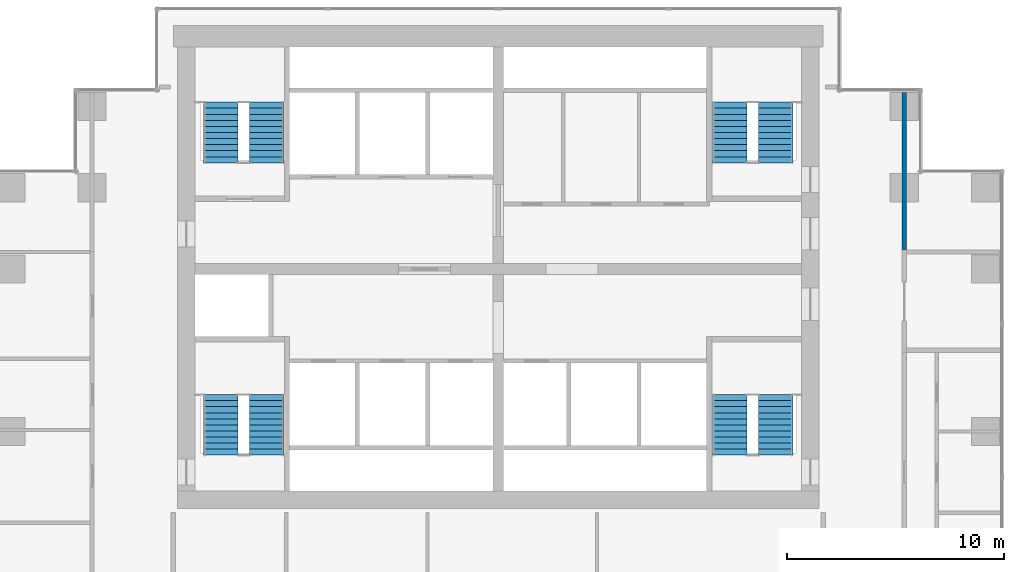
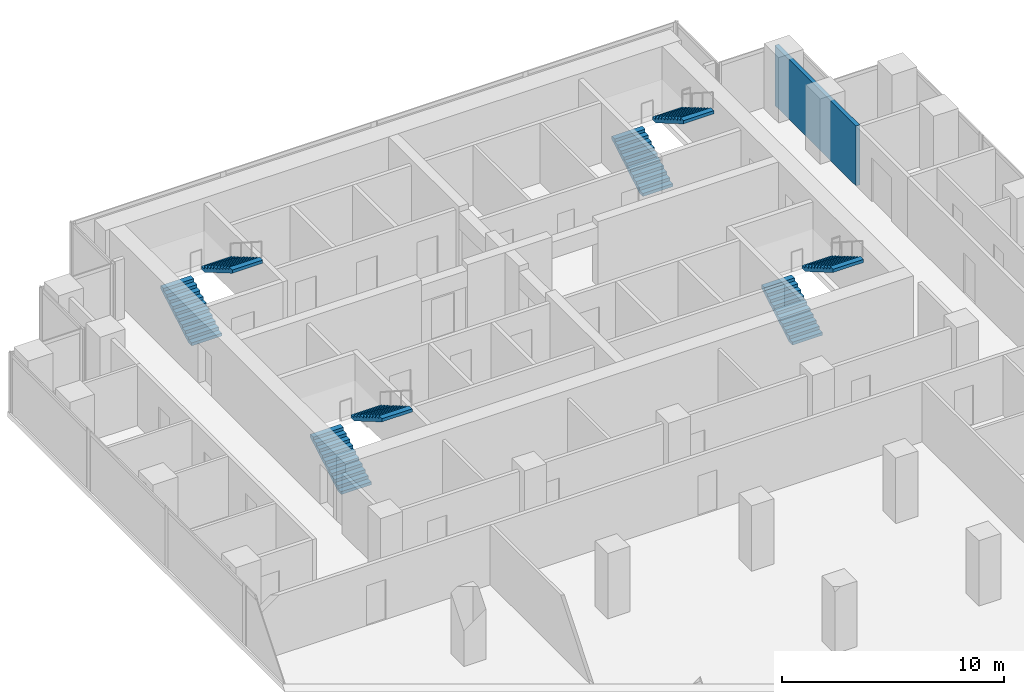
# One storey, part 9 of 10: 8 stair flights, 1 wall, 4 elements without a shape of their own.
"""IFC4 building model written with IfcOpenShell, lengths in metres."""

from ifc_helpers import new_model, si_unit, direction, frame, frame_2d, origin, place, context, subcontext, project, spatial, polyline, rectangle, outline, extrude, material, layer, layer_set, type_object, element, aggregate, save


model = new_model("IFC4")

# Units and contexts
model_context = context("Model", 3, precision=1e-05, world=origin(), true_north=direction((0.0, 1.0)))
body_context = subcontext(model_context, "Body", "Model", "MODEL_VIEW")
ifc_project = project(units=[si_unit("LENGTHUNIT", "METRE"), si_unit("AREAUNIT", "SQUARE_METRE"), si_unit("VOLUMEUNIT", "CUBIC_METRE"), si_unit("PLANEANGLEUNIT", "RADIAN"), si_unit("MASSUNIT", "GRAM", prefix="KILO")], contexts=[model_context])

# Site, building, storey
site_placement = place(None, origin())
site = spatial("IfcSite", under=ifc_project, at=site_placement, CompositionType="ELEMENT")
building_placement = place(site_placement, origin())
building = spatial("IfcBuilding", under=site, at=building_placement, Name="Pilkhan Gate Tower", CompositionType="ELEMENT")
storey_placement = place(building_placement, frame((0.0, 0.0, 114.39990234375)))
storey = spatial("IfcBuildingStorey", under=building, at=storey_placement, Name="L28", CompositionType="ELEMENT", Elevation=114.39990234375)

# Wall
ifc_material_1 = material(Name="Dense blockwork", Category="masonry")
ifc_layer = layer(ifc_material_1, 0.199951171875)
ifc_layer_set = layer_set([ifc_layer], Name="Corridor wall FW200")
wall_type = type_object("IfcWallType", Name="Corridor wall FW200", PredefinedType="PARTITIONING", material=ifc_layer_set)
wall_placement = place(storey_placement, frame((93.75, 83.31005859375, 0.0), z_axis=(0.0, 0.0, 1.0), x_axis=(0.0, 1.0, 0.0)))
element("IfcWall", 1, at=wall_placement, inside=storey, type_object=wall_type, Name="Partition L28", PredefinedType="PARTITIONING", context=body_context, shape_type="SweptSolid", body=[
    extrude(rectangle(XDim=7.3349609375, YDim=0.199951171875, at=frame_2d((3.66748046875, 0.0))), origin(), (0.0, 0.0, 1.0), 3.300048828125),
])

# Stair, stair flights
ifc_material_2 = material(Name="Concrete C40/50 precast", Category="concrete")
stair_type_1 = type_object("IfcStairType", Name="Stair ST1 164x280", PredefinedType="HALF_TURN_STAIR", material=ifc_material_2)
stair_1_placement = place(storey_placement, origin())
stair_1 = element("IfcStair", 2, at=stair_1_placement, inside=storey, type_object=stair_type_1, Name="Stair ST1 L28", PredefinedType="HALF_TURN_STAIR")
stair_flight_type_1 = type_object("IfcStairFlightType", Name="Stair flight ST1 164x280x11", PredefinedType="STRAIGHT", material=ifc_material_2)
stair_flight_1_placement = place(storey_placement, frame((85.68994140625, 73.89990234375, 0.0), z_axis=(0.0, 0.0, 1.0), x_axis=(0.0, 1.0, 0.0)))
stair_flight_1 = element("IfcStairFlight", 3, at=stair_flight_1_placement, type_object=stair_flight_type_1, Name="ST1 flight 1", NumberOfRisers=11, NumberOfTreads=10, PredefinedType="STRAIGHT", RiserHeight=0.163636364, TreadLength=0.28, context=body_context, shape_type="SweptSolid", body=[
    extrude(outline(polyline([(0.0, 0.0), (0.0, 0.16357421875), (0.280029296875, 0.16357421875), (0.280029296875, 0.327392578125), (0.56005859375, 0.327392578125), (0.56005859375, 0.490966796875), (0.840087890625, 0.490966796875), (0.840087890625, 0.654541015625), (1.1201171875, 0.654541015625), (1.1201171875, 0.818115234375), (1.39990234375, 0.818115234375), (1.39990234375, 0.98193359375), (1.679931640625, 0.98193359375), (1.679931640625, 1.1455078125), (1.9599609375, 1.1455078125), (1.9599609375, 1.30908203125), (2.239990234375, 1.30908203125), (2.239990234375, 1.47265625), (2.52001953125, 1.47265625), (2.52001953125, 1.636474609375), (2.800048828125, 1.636474609375), (2.800048828125, 1.800048828125), (2.800048828125, 1.462646484375), (0.297119140625, 0.0), (0.0, 0.0)])), frame((0.0, 0.7900390625, 0.0), z_axis=(0.0, -1.0, 0.0), x_axis=(1.0, 0.0, 0.0)), (0.0, 0.0, 1.0), 1.580078125),
])
stair_flight_2_placement = place(storey_placement, frame((87.81005859375, 76.699951171875, 1.800048828125), z_axis=(0.0, 0.0, 1.0), x_axis=(0.0, -1.0, 0.0)))
stair_flight_2 = element("IfcStairFlight", 4, at=stair_flight_2_placement, type_object=stair_flight_type_1, Name="ST1 flight 2", NumberOfRisers=11, NumberOfTreads=10, PredefinedType="STRAIGHT", RiserHeight=0.163636364, TreadLength=0.28, context=body_context, shape_type="SweptSolid", body=[
    extrude(outline(polyline([(0.0, 0.0), (0.0, 0.16357421875), (0.280029296875, 0.16357421875), (0.280029296875, 0.327392578125), (0.56005859375, 0.327392578125), (0.56005859375, 0.490966796875), (0.840087890625, 0.490966796875), (0.840087890625, 0.654541015625), (1.1201171875, 0.654541015625), (1.1201171875, 0.818115234375), (1.39990234375, 0.818115234375), (1.39990234375, 0.98193359375), (1.679931640625, 0.98193359375), (1.679931640625, 1.1455078125), (1.9599609375, 1.1455078125), (1.9599609375, 1.30908203125), (2.239990234375, 1.30908203125), (2.239990234375, 1.47265625), (2.52001953125, 1.47265625), (2.52001953125, 1.636474609375), (2.800048828125, 1.636474609375), (2.800048828125, 1.800048828125), (2.800048828125, 1.462646484375), (0.297119140625, 0.0), (0.0, 0.0)])), frame((0.0, 0.7900390625, 0.0), z_axis=(0.0, -1.0, 0.0), x_axis=(1.0, 0.0, 0.0)), (0.0, 0.0, 1.0), 1.580078125),
])
aggregate(stair_1, [stair_flight_1, stair_flight_2])

stair_type_2 = type_object("IfcStairType", Name="Stair ST2 164x280", PredefinedType="HALF_TURN_STAIR", material=ifc_material_2)
stair_2_placement = place(storey_placement, origin())
stair_2 = element("IfcStair", 5, at=stair_2_placement, inside=storey, type_object=stair_type_2, Name="Stair ST2 L28", PredefinedType="HALF_TURN_STAIR")
stair_flight_type_2 = type_object("IfcStairFlightType", Name="Stair flight ST2 164x280x11", PredefinedType="STRAIGHT", material=ifc_material_2)
stair_flight_3_placement = place(storey_placement, frame((62.18994140625, 73.89990234375, 0.0), z_axis=(0.0, 0.0, 1.0), x_axis=(0.0, 1.0, 0.0)))
stair_flight_3 = element("IfcStairFlight", 6, at=stair_flight_3_placement, type_object=stair_flight_type_2, Name="ST2 flight 1", NumberOfRisers=11, NumberOfTreads=10, PredefinedType="STRAIGHT", RiserHeight=0.163636364, TreadLength=0.28, context=body_context, shape_type="SweptSolid", body=[
    extrude(outline(polyline([(0.0, 0.0), (0.0, 0.16357421875), (0.280029296875, 0.16357421875), (0.280029296875, 0.327392578125), (0.56005859375, 0.327392578125), (0.56005859375, 0.490966796875), (0.840087890625, 0.490966796875), (0.840087890625, 0.654541015625), (1.1201171875, 0.654541015625), (1.1201171875, 0.818115234375), (1.39990234375, 0.818115234375), (1.39990234375, 0.98193359375), (1.679931640625, 0.98193359375), (1.679931640625, 1.1455078125), (1.9599609375, 1.1455078125), (1.9599609375, 1.30908203125), (2.239990234375, 1.30908203125), (2.239990234375, 1.47265625), (2.52001953125, 1.47265625), (2.52001953125, 1.636474609375), (2.800048828125, 1.636474609375), (2.800048828125, 1.800048828125), (2.800048828125, 1.462646484375), (0.297119140625, 0.0), (0.0, 0.0)])), frame((0.0, 0.7900390625, 0.0), z_axis=(0.0, -1.0, 0.0), x_axis=(1.0, 0.0, 0.0)), (0.0, 0.0, 1.0), 1.580078125),
])
stair_flight_4_placement = place(storey_placement, frame((64.31005859375, 76.699951171875, 1.800048828125), z_axis=(0.0, 0.0, 1.0), x_axis=(0.0, -1.0, 0.0)))
stair_flight_4 = element("IfcStairFlight", 7, at=stair_flight_4_placement, type_object=stair_flight_type_2, Name="ST2 flight 2", NumberOfRisers=11, NumberOfTreads=10, PredefinedType="STRAIGHT", RiserHeight=0.163636364, TreadLength=0.28, context=body_context, shape_type="SweptSolid", body=[
    extrude(outline(polyline([(0.0, 0.0), (0.0, 0.16357421875), (0.280029296875, 0.16357421875), (0.280029296875, 0.327392578125), (0.56005859375, 0.327392578125), (0.56005859375, 0.490966796875), (0.840087890625, 0.490966796875), (0.840087890625, 0.654541015625), (1.1201171875, 0.654541015625), (1.1201171875, 0.818115234375), (1.39990234375, 0.818115234375), (1.39990234375, 0.98193359375), (1.679931640625, 0.98193359375), (1.679931640625, 1.1455078125), (1.9599609375, 1.1455078125), (1.9599609375, 1.30908203125), (2.239990234375, 1.30908203125), (2.239990234375, 1.47265625), (2.52001953125, 1.47265625), (2.52001953125, 1.636474609375), (2.800048828125, 1.636474609375), (2.800048828125, 1.800048828125), (2.800048828125, 1.462646484375), (0.297119140625, 0.0), (0.0, 0.0)])), frame((0.0, 0.7900390625, 0.0), z_axis=(0.0, -1.0, 0.0), x_axis=(1.0, 0.0, 0.0)), (0.0, 0.0, 1.0), 1.580078125),
])
aggregate(stair_2, [stair_flight_3, stair_flight_4])

stair_type_3 = type_object("IfcStairType", Name="Stair ST3 164x280", PredefinedType="HALF_TURN_STAIR", material=ifc_material_2)
stair_3_placement = place(storey_placement, origin())
stair_3 = element("IfcStair", 8, at=stair_3_placement, inside=storey, type_object=stair_type_3, Name="Stair ST3 L28", PredefinedType="HALF_TURN_STAIR")
stair_flight_type_3 = type_object("IfcStairFlightType", Name="Stair flight ST3 164x280x11", PredefinedType="STRAIGHT", material=ifc_material_2)
stair_flight_5_placement = place(storey_placement, frame((62.18994140625, 87.39990234375, 0.0), z_axis=(0.0, 0.0, 1.0), x_axis=(0.0, 1.0, 0.0)))
stair_flight_5 = element("IfcStairFlight", 9, at=stair_flight_5_placement, type_object=stair_flight_type_3, Name="ST3 flight 1", NumberOfRisers=11, NumberOfTreads=10, PredefinedType="STRAIGHT", RiserHeight=0.163636364, TreadLength=0.28, context=body_context, shape_type="SweptSolid", body=[
    extrude(outline(polyline([(0.0, 0.0), (0.0, 0.16357421875), (0.280029296875, 0.16357421875), (0.280029296875, 0.327392578125), (0.56005859375, 0.327392578125), (0.56005859375, 0.490966796875), (0.840087890625, 0.490966796875), (0.840087890625, 0.654541015625), (1.1201171875, 0.654541015625), (1.1201171875, 0.818115234375), (1.39990234375, 0.818115234375), (1.39990234375, 0.98193359375), (1.679931640625, 0.98193359375), (1.679931640625, 1.1455078125), (1.9599609375, 1.1455078125), (1.9599609375, 1.30908203125), (2.239990234375, 1.30908203125), (2.239990234375, 1.47265625), (2.52001953125, 1.47265625), (2.52001953125, 1.636474609375), (2.800048828125, 1.636474609375), (2.800048828125, 1.800048828125), (2.800048828125, 1.462646484375), (0.297119140625, 0.0), (0.0, 0.0)])), frame((0.0, 0.7900390625, 0.0), z_axis=(0.0, -1.0, 0.0), x_axis=(1.0, 0.0, 0.0)), (0.0, 0.0, 1.0), 1.580078125),
])
stair_flight_6_placement = place(storey_placement, frame((64.31005859375, 90.199951171875, 1.800048828125), z_axis=(0.0, 0.0, 1.0), x_axis=(0.0, -1.0, 0.0)))
stair_flight_6 = element("IfcStairFlight", 10, at=stair_flight_6_placement, type_object=stair_flight_type_3, Name="ST3 flight 2", NumberOfRisers=11, NumberOfTreads=10, PredefinedType="STRAIGHT", RiserHeight=0.163636364, TreadLength=0.28, context=body_context, shape_type="SweptSolid", body=[
    extrude(outline(polyline([(0.0, 0.0), (0.0, 0.16357421875), (0.280029296875, 0.16357421875), (0.280029296875, 0.327392578125), (0.56005859375, 0.327392578125), (0.56005859375, 0.490966796875), (0.840087890625, 0.490966796875), (0.840087890625, 0.654541015625), (1.1201171875, 0.654541015625), (1.1201171875, 0.818115234375), (1.39990234375, 0.818115234375), (1.39990234375, 0.98193359375), (1.679931640625, 0.98193359375), (1.679931640625, 1.1455078125), (1.9599609375, 1.1455078125), (1.9599609375, 1.30908203125), (2.239990234375, 1.30908203125), (2.239990234375, 1.47265625), (2.52001953125, 1.47265625), (2.52001953125, 1.636474609375), (2.800048828125, 1.636474609375), (2.800048828125, 1.800048828125), (2.800048828125, 1.462646484375), (0.297119140625, 0.0), (0.0, 0.0)])), frame((0.0, 0.7900390625, 0.0), z_axis=(0.0, -1.0, 0.0), x_axis=(1.0, 0.0, 0.0)), (0.0, 0.0, 1.0), 1.580078125),
])
aggregate(stair_3, [stair_flight_5, stair_flight_6])

stair_type_4 = type_object("IfcStairType", Name="Stair ST4 164x280", PredefinedType="HALF_TURN_STAIR", material=ifc_material_2)
stair_4_placement = place(storey_placement, origin())
stair_4 = element("IfcStair", 11, at=stair_4_placement, inside=storey, type_object=stair_type_4, Name="Stair ST4 L28", PredefinedType="HALF_TURN_STAIR")
stair_flight_type_4 = type_object("IfcStairFlightType", Name="Stair flight ST4 164x280x11", PredefinedType="STRAIGHT", material=ifc_material_2)
stair_flight_7_placement = place(storey_placement, frame((85.68994140625, 87.39990234375, 0.0), z_axis=(0.0, 0.0, 1.0), x_axis=(0.0, 1.0, 0.0)))
stair_flight_7 = element("IfcStairFlight", 12, at=stair_flight_7_placement, type_object=stair_flight_type_4, Name="ST4 flight 1", NumberOfRisers=11, NumberOfTreads=10, PredefinedType="STRAIGHT", RiserHeight=0.163636364, TreadLength=0.28, context=body_context, shape_type="SweptSolid", body=[
    extrude(outline(polyline([(0.0, 0.0), (0.0, 0.16357421875), (0.280029296875, 0.16357421875), (0.280029296875, 0.327392578125), (0.56005859375, 0.327392578125), (0.56005859375, 0.490966796875), (0.840087890625, 0.490966796875), (0.840087890625, 0.654541015625), (1.1201171875, 0.654541015625), (1.1201171875, 0.818115234375), (1.39990234375, 0.818115234375), (1.39990234375, 0.98193359375), (1.679931640625, 0.98193359375), (1.679931640625, 1.1455078125), (1.9599609375, 1.1455078125), (1.9599609375, 1.30908203125), (2.239990234375, 1.30908203125), (2.239990234375, 1.47265625), (2.52001953125, 1.47265625), (2.52001953125, 1.636474609375), (2.800048828125, 1.636474609375), (2.800048828125, 1.800048828125), (2.800048828125, 1.462646484375), (0.297119140625, 0.0), (0.0, 0.0)])), frame((0.0, 0.7900390625, 0.0), z_axis=(0.0, -1.0, 0.0), x_axis=(1.0, 0.0, 0.0)), (0.0, 0.0, 1.0), 1.580078125),
])
stair_flight_8_placement = place(storey_placement, frame((87.81005859375, 90.199951171875, 1.800048828125), z_axis=(0.0, 0.0, 1.0), x_axis=(0.0, -1.0, 0.0)))
stair_flight_8 = element("IfcStairFlight", 13, at=stair_flight_8_placement, type_object=stair_flight_type_4, Name="ST4 flight 2", NumberOfRisers=11, NumberOfTreads=10, PredefinedType="STRAIGHT", RiserHeight=0.163636364, TreadLength=0.28, context=body_context, shape_type="SweptSolid", body=[
    extrude(outline(polyline([(0.0, 0.0), (0.0, 0.16357421875), (0.280029296875, 0.16357421875), (0.280029296875, 0.327392578125), (0.56005859375, 0.327392578125), (0.56005859375, 0.490966796875), (0.840087890625, 0.490966796875), (0.840087890625, 0.654541015625), (1.1201171875, 0.654541015625), (1.1201171875, 0.818115234375), (1.39990234375, 0.818115234375), (1.39990234375, 0.98193359375), (1.679931640625, 0.98193359375), (1.679931640625, 1.1455078125), (1.9599609375, 1.1455078125), (1.9599609375, 1.30908203125), (2.239990234375, 1.30908203125), (2.239990234375, 1.47265625), (2.52001953125, 1.47265625), (2.52001953125, 1.636474609375), (2.800048828125, 1.636474609375), (2.800048828125, 1.800048828125), (2.800048828125, 1.462646484375), (0.297119140625, 0.0), (0.0, 0.0)])), frame((0.0, 0.7900390625, 0.0), z_axis=(0.0, -1.0, 0.0), x_axis=(1.0, 0.0, 0.0)), (0.0, 0.0, 1.0), 1.580078125),
])
aggregate(stair_4, [stair_flight_7, stair_flight_8])

save(model, "model.ifc")
